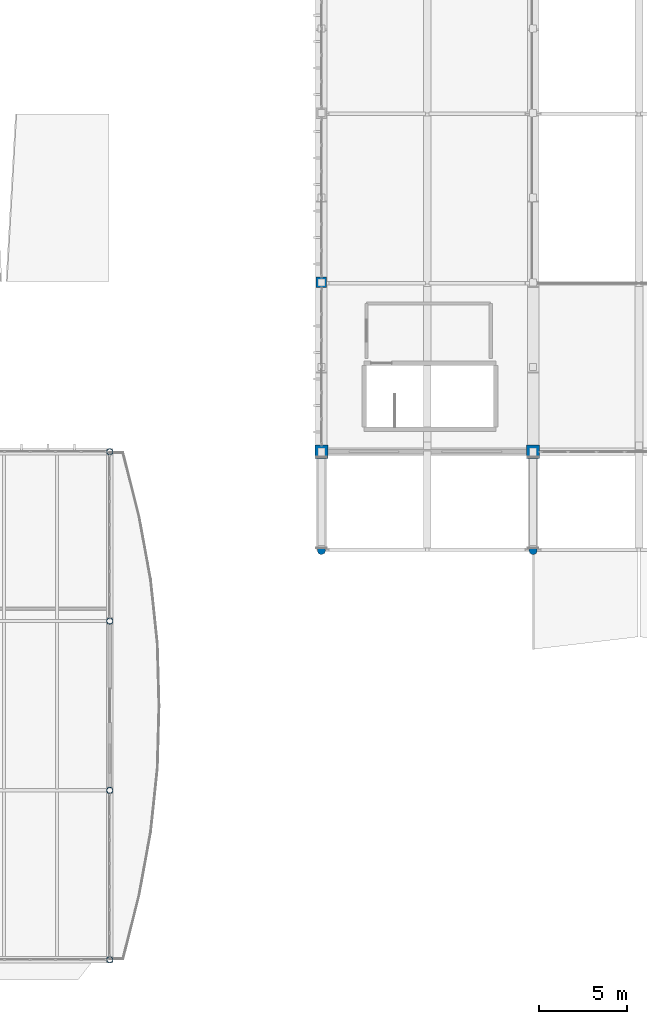
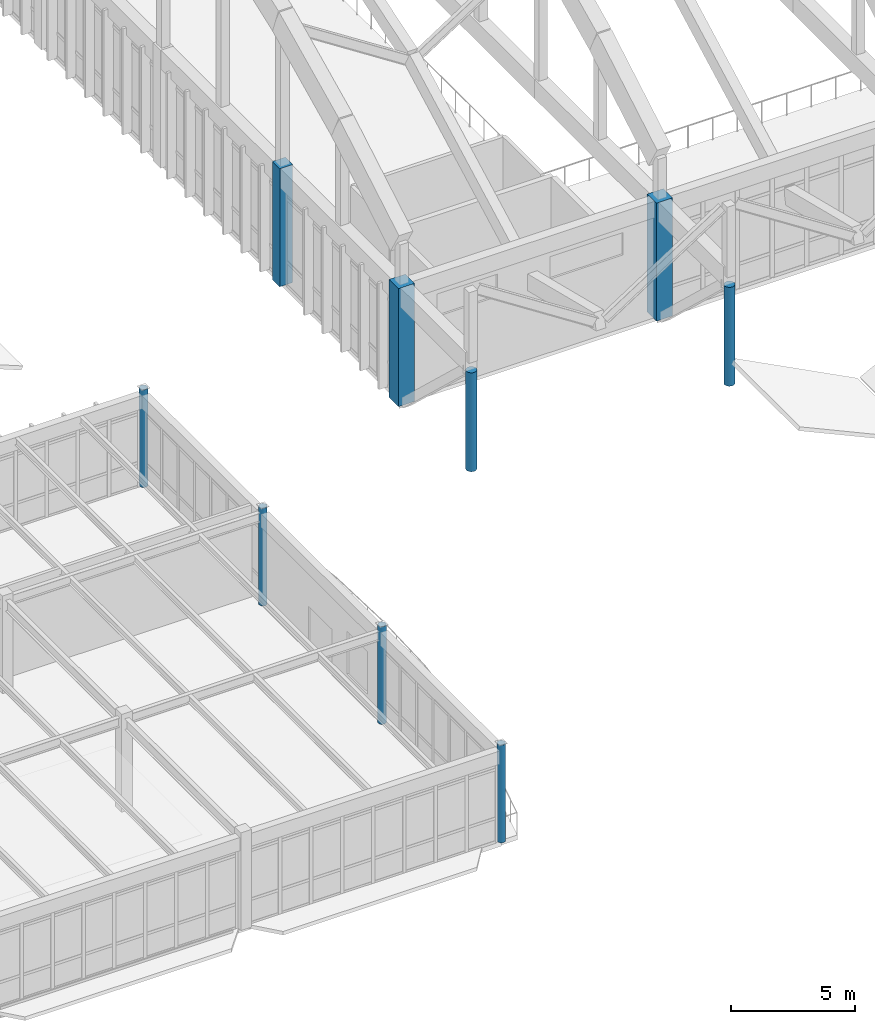
# One storey, part 2 of 236: 9 columns.
"""IFC4 building model written with IfcOpenShell, lengths in metres."""

import ifcopenshell
import ifcopenshell.guid

model = None  # the IFC model being written
_history = None  # IfcOwnerHistory: only IFC2X3 demands one
_inside = {}  # id of a spatial element -> (the spatial element, [elements in it])
_under = {}  # id of a project, library or spatial element -> (it, [spatial elements below it])
_declared = {}  # id of a project -> (the project, [libraries it declares])
_typed = {}  # id of a type object -> (the type object, [elements of that type])
_made_of = {}  # id of a material, layer set ... -> (it, [elements and type objects made of it])


def new_model(schema):
    """Start an empty IFC model of exactly this schema.

    Asked for "IFC4X3", IfcOpenShell would pick the latest addendum, in which some entities
    have other attributes; the version numbers below select the first issue.
    IFC2X3 requires an IfcOwnerHistory on every rooted entity: one is made here for all.
    """
    global model, _history
    if schema == "IFC4X3":
        model = ifcopenshell.file(schema_version=(4, 3, 0, 0))
    else:
        model = ifcopenshell.file(schema=schema)
    _inside.clear()
    _under.clear()
    _declared.clear()
    _typed.clear()
    _made_of.clear()
    _history = None
    if model.schema == "IFC2X3":
        org = make("IfcOrganization", Name="unknown")
        user = make(
            "IfcPersonAndOrganization",
            ThePerson=make("IfcPerson", FamilyName="unknown"),
            TheOrganization=org,
        )
        app = make(
            "IfcApplication",
            ApplicationDeveloper=org,
            Version="unknown",
            ApplicationFullName="unknown",
            ApplicationIdentifier="unknown",
        )
        _history = make(
            "IfcOwnerHistory",
            OwningUser=user,
            OwningApplication=app,
            ChangeAction="ADDED",
            CreationDate=0,
        )
    return model


def make(cls, **values):
    """One entity of the class cls with the attributes given. An attribute that is None is left unset."""
    return model.create_entity(
        cls, **{name: value for name, value in values.items() if value is not None}
    )


def rooted(cls, **values):
    """An entity with a GlobalId (a new one), such as an element, a storey or a relation."""
    return make(cls, GlobalId=ifcopenshell.guid.new(), OwnerHistory=_history, **values)


def si_unit(unit_type, name, prefix=None):
    """IfcSIUnit, for example si_unit("LENGTHUNIT", "METRE", prefix="MILLI")."""
    return make("IfcSIUnit", UnitType=unit_type, Prefix=prefix, Name=name)


def assignment(units):
    """IfcUnitAssignment: the units of a project."""
    return None if units is None else make("IfcUnitAssignment", Units=units)


def point(xyz):
    """IfcCartesianPoint."""
    return None if xyz is None else make("IfcCartesianPoint", Coordinates=xyz)


def direction(xyz):
    """IfcDirection."""
    return None if xyz is None else make("IfcDirection", DirectionRatios=xyz)


def frame(location, z_axis=None, x_axis=None):
    """IfcAxis2Placement3D, a coordinate frame: its origin and axes. An axis left out is left unset."""
    return make(
        "IfcAxis2Placement3D",
        Location=point(location),
        Axis=direction(z_axis),
        RefDirection=direction(x_axis),
    )


def frame_2d(location, x_axis=None):
    """IfcAxis2Placement2D, a coordinate frame in the plane: its origin and x axis."""
    return make(
        "IfcAxis2Placement2D", Location=point(location), RefDirection=direction(x_axis)
    )


def origin():
    """The frame at (0, 0, 0) with its axes left unset."""
    return frame((0.0, 0.0, 0.0))


def origin_2d():
    """The frame at (0, 0) in the plane with its x axis left unset."""
    return frame_2d((0.0, 0.0))


def place(relative_to, where):
    """IfcLocalPlacement: puts the frame where relative to a parent placement (None: the world)."""
    return make(
        "IfcLocalPlacement", PlacementRelTo=relative_to, RelativePlacement=where
    )


def context(
    kind, dimensions, precision=None, world=None, true_north=None, identifier=None
):
    """IfcGeometricRepresentationContext, for example the 3D "Model" context."""
    return make(
        "IfcGeometricRepresentationContext",
        ContextIdentifier=identifier,
        ContextType=kind,
        CoordinateSpaceDimension=dimensions,
        Precision=precision,
        WorldCoordinateSystem=world,
        TrueNorth=true_north,
    )


def subcontext(parent, identifier, kind, view, scale=None):
    """IfcGeometricRepresentationSubContext, for example "Body" below "Model"."""
    return make(
        "IfcGeometricRepresentationSubContext",
        ContextIdentifier=identifier,
        ContextType=kind,
        ParentContext=parent,
        TargetScale=scale,
        TargetView=view,
    )


def project(units=None, contexts=None):
    """IfcProject with its units and contexts."""
    return rooted(
        "IfcProject",
        Name="project",
        RepresentationContexts=contexts,
        UnitsInContext=assignment(units),
    )


def spatial(cls, under=None, at=None, **own):
    """A site, building, storey or space (cls), placed at a placement, below another one or the project."""
    s = rooted(cls, ObjectPlacement=at, **own)
    if under is not None:
        _under.setdefault(under.id(), (under, []))[1].append(s)
    return s


def profile(cls, at=None, kind="AREA", **sizes):
    """A parametric profile (cls). Its sizes go by their IFC names, for example OverallWidth=200.0."""
    return make(cls, ProfileType=kind, Position=at, **sizes)


def rectangle(**sizes):
    """IfcRectangleProfileDef."""
    return profile("IfcRectangleProfileDef", **sizes)


def circle(**sizes):
    """IfcCircleProfileDef."""
    return profile("IfcCircleProfileDef", **sizes)


def hollow_circle(**sizes):
    """IfcCircleHollowProfileDef."""
    return profile("IfcCircleHollowProfileDef", **sizes)


def extrude(swept, where, along, depth):
    """IfcExtrudedAreaSolid: the profile swept, set in the frame where, extruded along a direction by depth."""
    return make(
        "IfcExtrudedAreaSolid",
        SweptArea=swept,
        Position=where,
        ExtrudedDirection=direction(along),
        Depth=depth,
    )


def shape(context_of_items, identifier, shape_type, items):
    """IfcShapeRepresentation: the items that make up one representation, for example the "Body"."""
    return make(
        "IfcShapeRepresentation",
        ContextOfItems=context_of_items,
        RepresentationIdentifier=identifier,
        RepresentationType=shape_type,
        Items=items,
    )


def material(Name=None, Category=None):
    """IfcMaterial."""
    return make("IfcMaterial", Name=Name, Category=Category)


def material_profile(
    of_material, cross_section, Name=None, Category=None, Priority=None
):
    """IfcMaterialProfile: a cross section and its material."""
    return make(
        "IfcMaterialProfile",
        Name=Name,
        Material=of_material,
        Profile=cross_section,
        Priority=Priority,
        Category=Category,
    )


def profile_set(profiles, Name=None, composite=None):
    """IfcMaterialProfileSet."""
    return make(
        "IfcMaterialProfileSet",
        Name=Name,
        MaterialProfiles=profiles,
        CompositeProfile=composite,
    )


def made_of(thing, what):
    """Note that an element or type object is made of a material, layer set ...; save() writes the relation."""
    if what is not None:
        _made_of.setdefault(what.id(), (what, []))[1].append(thing)
    return thing


def type_object(cls, material=None, **own):
    """A type object (cls), such as IfcWallType, which elements share."""
    return made_of(rooted(cls, **own), material)


def element(
    cls,
    number,
    at=None,
    inside=None,
    cuts=None,
    type_object=None,
    material=None,
    context=None,
    identifier="Body",
    shape_type=None,
    held_by="IfcProductDefinitionShape",
    body=None,
    shapes=None,
    **own,
):
    """One element of the class cls, such as IfcWall. Its Tag is "e" and its number.

    at: its placement. inside: the storey or other place that contains it. cuts: it is an
    opening in that element (IfcRelVoidsElement). A single representation is given by context,
    identifier, shape_type and body (its items); several are given by shapes. held_by: the class
    of the entity that holds the representations. save() writes the other relations.
    """
    e = rooted(cls, Tag="e%d" % number, ObjectPlacement=at, **own)
    if body is not None:
        shapes = [shape(context, identifier, shape_type, body)]
    if shapes is not None:
        e.Representation = make(held_by, Representations=shapes)
    if inside is not None:
        _inside.setdefault(inside.id(), (inside, []))[1].append(e)
    if cuts is not None:
        rooted(
            "IfcRelVoidsElement", RelatingBuildingElement=cuts, RelatedOpeningElement=e
        )
    if type_object is not None:
        _typed.setdefault(type_object.id(), (type_object, []))[1].append(e)
    return made_of(e, material)


def aggregate(whole, parts):
    """IfcRelAggregates: a whole, such as a stair, and the parts it consists of."""
    return rooted("IfcRelAggregates", RelatingObject=whole, RelatedObjects=parts)


def save(model, path):
    """Write the relations noted so far, then the file.

    IfcRelAggregates (storeys below a building ...), IfcRelContainedInSpatialStructure (elements
    in a storey), IfcRelDefinesByType, IfcRelAssociatesMaterial and IfcRelDeclares: one each for
    every whole, place, type object, material and project.
    """
    for whole, parts in _under.values():
        aggregate(whole, parts)
    for where, things in _inside.values():
        rooted(
            "IfcRelContainedInSpatialStructure",
            RelatedElements=things,
            RelatingStructure=where,
        )
    for kind, things in _typed.values():
        rooted("IfcRelDefinesByType", RelatedObjects=things, RelatingType=kind)
    for what, things in _made_of.values():
        rooted("IfcRelAssociatesMaterial", RelatedObjects=things, RelatingMaterial=what)
    for by, libraries in _declared.values():
        rooted("IfcRelDeclares", RelatingContext=by, RelatedDefinitions=libraries)
    model.write(path)


model = new_model("IFC4")

# Units and contexts
model_context = context("Model", 3, precision=1e-05, world=origin(), true_north=direction((0.0, 1.0)))
body_context = subcontext(model_context, "Body", "Model", "MODEL_VIEW")
ifc_project = project(units=[si_unit("LENGTHUNIT", "METRE"), si_unit("AREAUNIT", "SQUARE_METRE"), si_unit("VOLUMEUNIT", "CUBIC_METRE"), si_unit("PLANEANGLEUNIT", "RADIAN"), si_unit("MASSUNIT", "GRAM", prefix="KILO")], contexts=[model_context])

# Site, building, storey
site_placement = place(None, origin())
site = spatial("IfcSite", under=ifc_project, at=site_placement, CompositionType="ELEMENT")
building_placement = place(site_placement, origin())
building = spatial("IfcBuilding", under=site, at=building_placement, Name="Pandanus Reach Market Hall", CompositionType="ELEMENT")
storey_placement = place(building_placement, frame((0.0, 0.0, 5.39990234375)))
storey = spatial("IfcBuildingStorey", under=building, at=storey_placement, Name="L01", CompositionType="ELEMENT", Elevation=5.39990234375)

# Columns
ifc_material_1 = material(Name="Steel Grade 350 (350 MPa)", Category="steel")
ifc_material_profile_1 = material_profile(ifc_material_1, hollow_circle(Radius=0.177734375, WallThickness=0.0126953125, at=origin_2d()), Name="355.6x12.7CHS", Category="LoadBearing")
ifc_profile_set_1 = profile_set([ifc_material_profile_1], Name="Steel Grade 350 (350 MPa)")
column_type_1 = type_object("IfcColumnType", Name="CL-CHS356-E", PredefinedType="COLUMN", material=ifc_profile_set_1)
for number, where, z_axis, x_axis, name in (
    (1, (36.0, 0.0, 0.0), (0.0, 0.0, 1.0), (1.0, 0.0, 0.0), "Column CL-CHS356-E V3-36-0 L01"),
    (2, (36.0, 9.60009765625, 0.0), (0.0, 0.0, 1.0), (1.0, 0.0, 0.0), "Column CL-CHS356-E V3-36-96 L01"),
    (3, (36.0, 19.199951171875, 0.0), (0.0, 0.0, 1.0), (1.0, 0.0, 0.0), "Column CL-CHS356-E V3-36-192 L01"),
    (4, (36.0, 28.800048828125, 0.0), (0.0, 0.0, 1.0), (1.0, 0.0, 0.0), "Column CL-CHS356-E V3-36-288 L01"),
):
    element("IfcColumn", number, at=place(storey_placement, frame(where, z_axis=z_axis, x_axis=x_axis)), inside=storey, type_object=column_type_1, Name=name, PredefinedType="COLUMN", context=body_context, shape_type="SweptSolid", body=[
        extrude(hollow_circle(Radius=0.177734375, WallThickness=0.0126953125, at=origin_2d()), origin(), (0.0, 0.0, 1.0), 4.800048828125),
    ])
ifc_material_2 = material(Name="Concrete N40 (40 MPa)", Category="concrete")
ifc_material_profile_2 = material_profile(ifc_material_2, rectangle(XDim=0.60009765625, YDim=0.60009765625, at=origin_2d()), Name="RC600x600", Category="LoadBearing")
ifc_profile_set_2 = profile_set([ifc_material_profile_2], Name="Concrete N40 (40 MPa)")
column_type_2 = type_object("IfcColumnType", Name="CL-RC600-E", PredefinedType="COLUMN", material=ifc_profile_set_2)
column_placement = place(storey_placement, frame((48.0, 38.39990234375, 0.0), z_axis=(0.0, 0.0, 1.0), x_axis=(1.0, 0.0, 0.0)))
element("IfcColumn", 5, at=column_placement, inside=storey, type_object=column_type_2, Name="Column CL-RC600-E V1M-48-384 L01", PredefinedType="COLUMN", context=body_context, shape_type="SweptSolid", body=[
    extrude(rectangle(XDim=0.60009765625, YDim=0.60009765625, at=origin_2d()), origin(), (0.0, 0.0, 1.0), 5.800048828125),
])
ifc_material_3 = material(Name="Concrete N50 (50 MPa)", Category="concrete")
ifc_material_profile_3 = material_profile(ifc_material_3, rectangle(XDim=0.75, YDim=0.75, at=origin_2d()), Name="RC750x750", Category="LoadBearing")
ifc_profile_set_3 = profile_set([ifc_material_profile_3], Name="Concrete N50 (50 MPa)")
column_type_3 = type_object("IfcColumnType", Name="CL-RC750-E", PredefinedType="COLUMN", material=ifc_profile_set_3)
for number, where, z_axis, x_axis, name in (
    (6, (48.0, 28.800048828125, 0.0), (0.0, 0.0, 1.0), (1.0, 0.0, 0.0), "Column CL-RC750-E V1A-48-288 L01"),
    (7, (60.0, 28.800048828125, 0.0), (0.0, 0.0, 1.0), (1.0, 0.0, 0.0), "Column CL-RC750-E V1A-60-288 L01"),
):
    element("IfcColumn", number, at=place(storey_placement, frame(where, z_axis=z_axis, x_axis=x_axis)), inside=storey, type_object=column_type_3, Name=name, PredefinedType="COLUMN", context=body_context, shape_type="SweptSolid", body=[
        extrude(rectangle(XDim=0.75, YDim=0.75, at=origin_2d()), origin(), (0.0, 0.0, 1.0), 5.800048828125),
    ])
ifc_material_4 = material(Name="Precast concrete S50 (50 MPa)", Category="concrete")
ifc_material_profile_4 = material_profile(ifc_material_4, circle(Radius=0.22509765625, at=origin_2d()), Name="RC450D", Category="LoadBearing")
ifc_profile_set_4 = profile_set([ifc_material_profile_4], Name="Precast concrete S50 (50 MPa)")
column_type_4 = type_object("IfcColumnType", Name="PL-RC450-E", PredefinedType="PILASTER", material=ifc_profile_set_4)
for number, where, z_axis, x_axis, name in (
    (8, (48.0, 23.199951171875, 0.0), (0.0, 0.0, 1.0), (1.0, 0.0, 0.0), "Arcade upper pilaster P1.L01"),
    (9, (60.0, 23.199951171875, 0.0), (0.0, 0.0, 1.0), (1.0, 0.0, 0.0), "Arcade upper pilaster P2.L01"),
):
    element("IfcColumn", number, at=place(storey_placement, frame(where, z_axis=z_axis, x_axis=x_axis)), inside=storey, type_object=column_type_4, Name=name, PredefinedType="PILASTER", context=body_context, shape_type="SweptSolid", body=[
        extrude(circle(Radius=0.22509765625, at=origin_2d()), origin(), (0.0, 0.0, 1.0), 4.860107421875),
    ])

save(model, "model.ifc")
